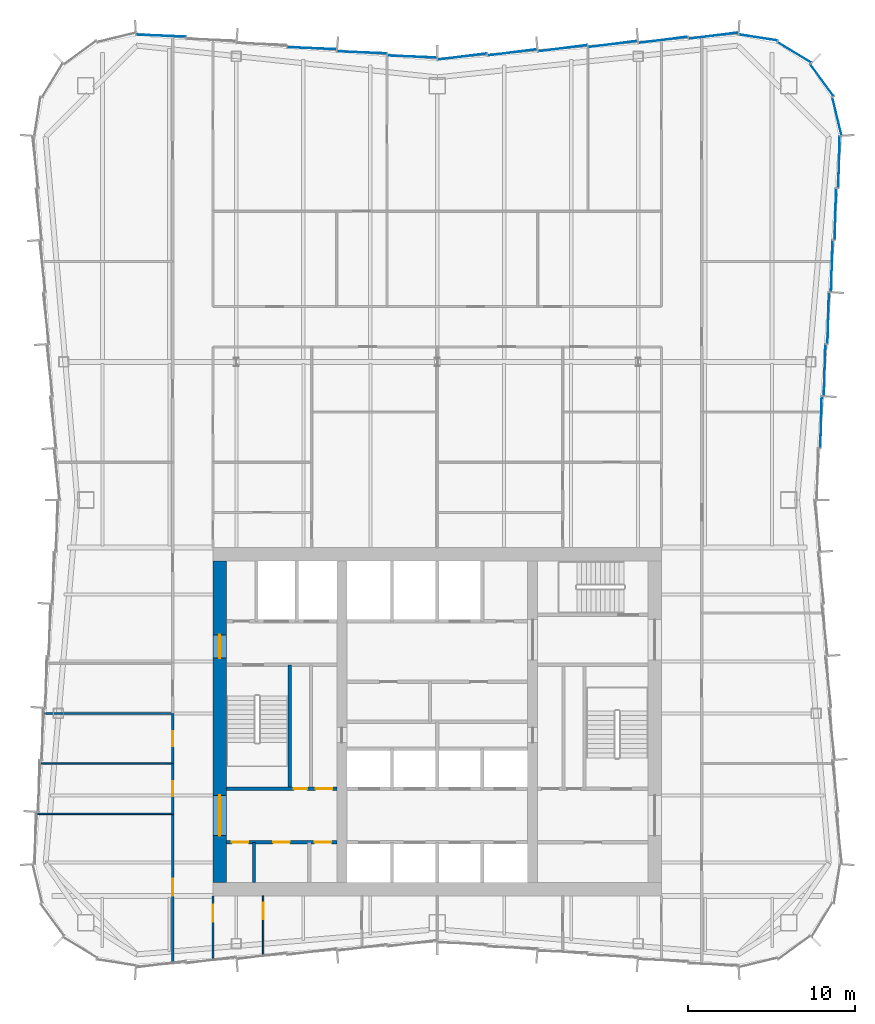
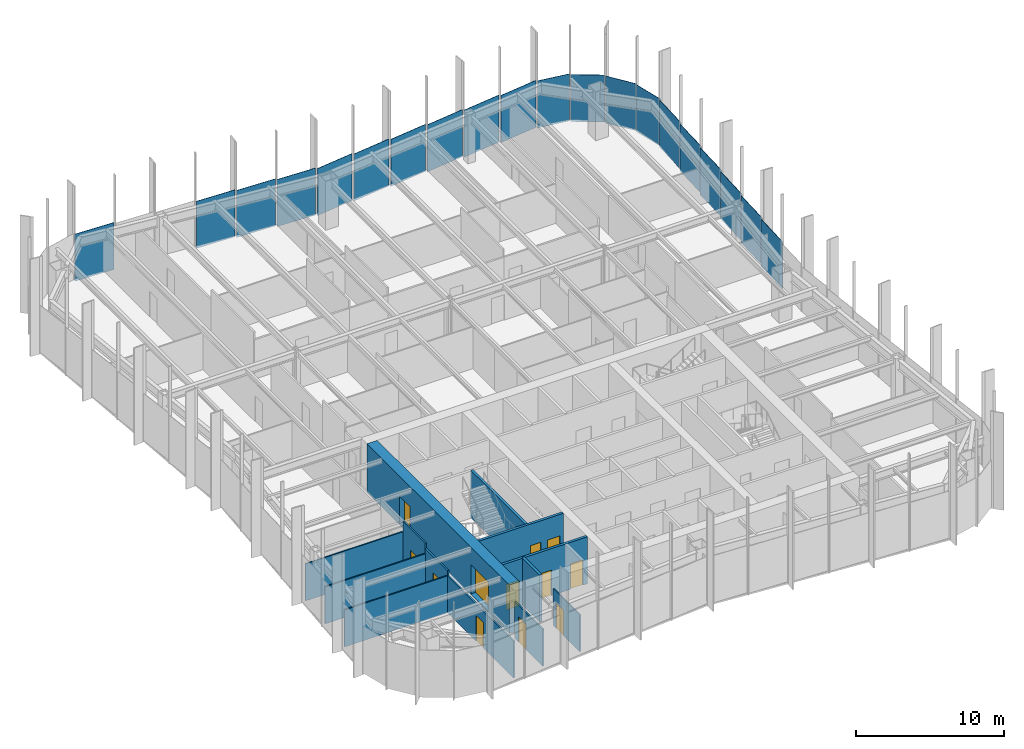
# One storey, part 10 of 15: 20 plates, 13 walls, 12 doors, 12 openings, 3 elements without a shape of their own.
"""IFC4 building model written with IfcOpenShell, lengths in metres."""

from ifc_helpers import new_model, si_unit, direction, frame, frame_2d, origin, origin_2d, place, context, subcontext, project, spatial, rectangle, extrude, material, layer, layer_set, type_object, element, fill, aggregate, save


model = new_model("IFC4")

# Units and contexts
model_context = context("Model", 3, precision=1e-05, world=origin(), true_north=direction((0.0, 1.0)))
body_context = subcontext(model_context, "Body", "Model", "MODEL_VIEW")
ifc_project = project(units=[si_unit("LENGTHUNIT", "METRE"), si_unit("AREAUNIT", "SQUARE_METRE"), si_unit("VOLUMEUNIT", "CUBIC_METRE"), si_unit("PLANEANGLEUNIT", "RADIAN"), si_unit("MASSUNIT", "GRAM", prefix="KILO")], contexts=[model_context])

# Site, building, storey
site_placement = place(None, origin())
site = spatial("IfcSite", under=ifc_project, at=site_placement, CompositionType="ELEMENT")
building_placement = place(site_placement, origin())
building = spatial("IfcBuilding", under=site, at=building_placement, Name="Verdant Reach Tower", CompositionType="ELEMENT")
storey_placement = place(building_placement, frame((0.0, 0.0, 274.0)))
storey = spatial("IfcBuildingStorey", under=building, at=storey_placement, Name="L63", CompositionType="ELEMENT", Elevation=274.0)

# Curtain wall, plates
ifc_material_1 = material(Name="Anodised aluminium", Category="aluminium")
curtain_wall_type = type_object("IfcCurtainWallType", Name="EN-CW SYSTEM Z4", PredefinedType="NOTDEFINED", material=ifc_material_1)
curtain_wall_1_placement = place(storey_placement, origin())
curtain_wall_1 = element("IfcCurtainWall", 1, at=curtain_wall_1_placement, inside=storey, type_object=curtain_wall_type, Name="Curtain wall east, L63", PredefinedType="NOTDEFINED")
ifc_material_2 = material(Name="Tinted glass with champagne spandrel", Category="glass")
ifc_layer_1 = layer(ifc_material_2, 0.031982421875)
ifc_layer_set_1 = layer_set([ifc_layer_1], Name="EN-PANEL CHAMPAGNE")
plate_type_1 = type_object("IfcPlateType", Name="EN-PANEL CHAMPAGNE", PredefinedType="CURTAIN_PANEL", material=ifc_layer_set_1)
plate_1_placement = place(storey_placement, frame((23.1474609375, 49.01025390625, -0.221923828125), z_axis=(0.0, 0.0, 1.0), x_axis=(0.026965318308, 0.999636369691, 0.0)))
plate_1 = element("IfcPlate", 2, at=plate_1_placement, type_object=plate_type_1, Name="Glass panel east face part 2 3.1, L63", PredefinedType="CURTAIN_PANEL", context=body_context, shape_type="SweptSolid", body=[
    extrude(rectangle(XDim=3.050537109375, YDim=0.031982421875, at=origin_2d()), origin(), (0.0, 0.0, 1.0), 3.8720703125),
])
plate_2_placement = place(storey_placement, frame((23.36181640625, 52.1171875, -0.221923828125), z_axis=(0.0, 0.0, 1.0), x_axis=(0.026965318308, 0.999636369691, 0.0)))
plate_2 = element("IfcPlate", 3, at=plate_2_placement, type_object=plate_type_1, Name="Glass panel east face part 2 4.1, L63", PredefinedType="CURTAIN_PANEL", context=body_context, shape_type="SweptSolid", body=[
    extrude(rectangle(XDim=3.050537109375, YDim=0.031982421875, at=origin_2d()), origin(), (0.0, 0.0, 1.0), 3.8720703125),
])

curtain_wall_2_placement = place(storey_placement, origin())
curtain_wall_2 = element("IfcCurtainWall", 4, at=curtain_wall_2_placement, inside=storey, type_object=curtain_wall_type, Name="Curtain wall north-east corner, L63", PredefinedType="NOTDEFINED")
plate_3_placement = place(storey_placement, frame((23.87939453125, 64.173095703125, -0.221923828125), z_axis=(0.0, 0.0, 1.0), x_axis=(-0.236458850433, 0.971641503875, 0.0)))
plate_3 = element("IfcPlate", 5, at=plate_3_placement, type_object=plate_type_1, Name="Glass panel north-east corner 1.1, L63", PredefinedType="CURTAIN_PANEL", context=body_context, shape_type="SweptSolid", body=[
    extrude(rectangle(XDim=2.313720703125, YDim=0.031982421875, at=origin_2d()), origin(), (0.0, 0.0, 1.0), 3.8720703125),
])
plate_4_placement = place(storey_placement, frame((22.984375, 66.330322265625, -0.221923828125), z_axis=(0.0, 0.0, 1.0), x_axis=(-0.589926737254, 0.80745677573, 0.0)))
plate_4 = element("IfcPlate", 6, at=plate_4_placement, type_object=plate_type_1, Name="Glass panel north-east corner 2.1, L63", PredefinedType="CURTAIN_PANEL", context=body_context, shape_type="SweptSolid", body=[
    extrude(rectangle(XDim=2.32080078125, YDim=0.031982421875, at=origin_2d()), origin(), (0.0, 0.0, 1.0), 3.8720703125),
])
plate_5_placement = place(storey_placement, frame((21.330322265625, 67.984375, -0.221923828125), z_axis=(0.0, 0.0, 1.0), x_axis=(-0.853988708265, 0.520291539577, 0.0)))
plate_5 = element("IfcPlate", 7, at=plate_5_placement, type_object=plate_type_1, Name="Glass panel north-east corner 3.1, L63", PredefinedType="CURTAIN_PANEL", context=body_context, shape_type="SweptSolid", body=[
    extrude(rectangle(XDim=2.32080078125, YDim=0.031982421875, at=origin_2d()), origin(), (0.0, 0.0, 1.0), 3.8720703125),
])

curtain_wall_3_placement = place(storey_placement, origin())
curtain_wall_3 = element("IfcCurtainWall", 8, at=curtain_wall_3_placement, inside=storey, type_object=curtain_wall_type, Name="Curtain wall north, L63", PredefinedType="NOTDEFINED")
plate_6_placement = place(storey_placement, frame((16.49853515625, 68.98681640625, -0.221923828125), z_axis=(0.0, 0.0, 1.0), x_axis=(-0.992238962139, -0.124345655383, 0.0)))
plate_6 = element("IfcPlate", 9, at=plate_6_placement, type_object=plate_type_1, Name="Glass panel north face part 1 1.1, L63", PredefinedType="CURTAIN_PANEL", context=body_context, shape_type="SweptSolid", body=[
    extrude(rectangle(XDim=2.9619140625, YDim=0.031982421875, at=origin_2d()), origin(), (0.0, 0.0, 1.0), 3.8720703125),
])
plate_7_placement = place(storey_placement, frame((-1.495361328125, 67.73681640625, -0.221923828125), z_axis=(0.0, 0.0, 1.0), x_axis=(-0.999143877249, 0.041370430933, 0.0)))
plate_7 = element("IfcPlate", 10, at=plate_7_placement, type_object=plate_type_1, Name="Glass panel north face part 2 1.1, L63", PredefinedType="CURTAIN_PANEL", context=body_context, shape_type="SweptSolid", body=[
    extrude(rectangle(XDim=2.93701171875, YDim=0.031982421875, at=origin_2d()), origin(), (0.0, 0.0, 1.0), 3.8720703125),
])
plate_8_placement = place(storey_placement, frame((-4.49072265625, 67.986572265625, -0.221923828125), z_axis=(0.0, 0.0, 1.0), x_axis=(-0.999149202059, 0.041241629766, 0.0)))
plate_8 = element("IfcPlate", 11, at=plate_8_placement, type_object=plate_type_1, Name="Glass panel north face part 2 2.1, L63", PredefinedType="CURTAIN_PANEL", context=body_context, shape_type="SweptSolid", body=[
    extrude(rectangle(XDim=2.9462890625, YDim=0.031982421875, at=origin_2d()), origin(), (0.0, 0.0, 1.0), 3.8720703125),
])
plate_9_placement = place(storey_placement, frame((-7.49072265625, 68.236572265625, -0.221923828125), z_axis=(0.0, 0.0, 1.0), x_axis=(-0.999149202059, 0.041241629766, 0.0)))
plate_9 = element("IfcPlate", 12, at=plate_9_placement, type_object=plate_type_1, Name="Glass panel north face part 2 3.1, L63", PredefinedType="CURTAIN_PANEL", context=body_context, shape_type="SweptSolid", body=[
    extrude(rectangle(XDim=2.9462890625, YDim=0.031982421875, at=origin_2d()), origin(), (0.0, 0.0, 1.0), 3.8720703125),
])

# Plate
ifc_material_3 = material(Name="Tinted glass with copper spandrel", Category="glass")
ifc_layer_2 = layer(ifc_material_3, 0.031982421875)
ifc_layer_set_2 = layer_set([ifc_layer_2], Name="EN-PANEL COPPER")
plate_type_2 = type_object("IfcPlateType", Name="EN-PANEL COPPER", PredefinedType="CURTAIN_PANEL", material=ifc_layer_set_2)
plate_10_placement = place(storey_placement, frame((23.575927734375, 55.224365234375, -0.221923828125), z_axis=(0.0, 0.0, 1.0), x_axis=(0.026965318308, 0.999636369691, 0.0)))
plate_10 = element("IfcPlate", 13, at=plate_10_placement, type_object=plate_type_2, Name="Glass panel east face part 2 5.1, L63", PredefinedType="CURTAIN_PANEL", context=body_context, shape_type="SweptSolid", body=[
    extrude(rectangle(XDim=3.050537109375, YDim=0.031982421875, at=origin_2d()), origin(), (0.0, 0.0, 1.0), 3.8720703125),
])

plate_11_placement = place(storey_placement, frame((23.790283203125, 58.33154296875, -0.221923828125), z_axis=(0.0, 0.0, 1.0), x_axis=(0.026965318308, 0.999636369691, 0.0)))
plate_11 = element("IfcPlate", 14, at=plate_11_placement, type_object=plate_type_2, Name="Glass panel east face part 2 6.1, L63", PredefinedType="CURTAIN_PANEL", context=body_context, shape_type="SweptSolid", body=[
    extrude(rectangle(XDim=3.050537109375, YDim=0.031982421875, at=origin_2d()), origin(), (0.0, 0.0, 1.0), 3.8720703125),
])

plate_12_placement = place(storey_placement, frame((24.004638671875, 61.446044921875, -0.221923828125), z_axis=(0.0, 0.0, 1.0), x_axis=(0.026651253217, 0.999644792265, 0.0)))
plate_12 = element("IfcPlate", 15, at=plate_12_placement, type_object=plate_type_2, Name="Glass panel east face part 2 7.1, L63", PredefinedType="CURTAIN_PANEL", context=body_context, shape_type="SweptSolid", body=[
    extrude(rectangle(XDim=3.0654296875, YDim=0.031982421875, at=origin_2d()), origin(), (0.0, 0.0, 1.0), 3.8720703125),
])

plate_13_placement = place(storey_placement, frame((19.172607421875, 68.87939453125, -0.221923828125), z_axis=(0.0, 0.0, 1.0), x_axis=(-0.98802725693, 0.154279420415, 0.0)))
plate_13 = element("IfcPlate", 16, at=plate_13_placement, type_object=plate_type_2, Name="Glass panel north-east corner 4.1, L63", PredefinedType="CURTAIN_PANEL", context=body_context, shape_type="SweptSolid", body=[
    extrude(rectangle(XDim=2.314453125, YDim=0.031982421875, at=origin_2d()), origin(), (0.0, 0.0, 1.0), 3.8720703125),
])

aggregate(curtain_wall_2, [plate_3, plate_4, plate_5, plate_13])

plate_14_placement = place(storey_placement, frame((13.49072265625, 68.736572265625, -0.221923828125), z_axis=(0.0, 0.0, 1.0), x_axis=(-0.992194034542, -0.124703639961, 0.0)))
plate_14 = element("IfcPlate", 17, at=plate_14_placement, type_object=plate_type_2, Name="Glass panel north face part 1 2.1, L63", PredefinedType="CURTAIN_PANEL", context=body_context, shape_type="SweptSolid", body=[
    extrude(rectangle(XDim=2.9462890625, YDim=0.031982421875, at=origin_2d()), origin(), (0.0, 0.0, 1.0), 3.8720703125),
])

plate_15_placement = place(storey_placement, frame((10.49072265625, 68.486572265625, -0.221923828125), z_axis=(0.0, 0.0, 1.0), x_axis=(-0.992194034542, -0.124703639961, 0.0)))
plate_15 = element("IfcPlate", 18, at=plate_15_placement, type_object=plate_type_2, Name="Glass panel north face part 1 3.1, L63", PredefinedType="CURTAIN_PANEL", context=body_context, shape_type="SweptSolid", body=[
    extrude(rectangle(XDim=2.9462890625, YDim=0.031982421875, at=origin_2d()), origin(), (0.0, 0.0, 1.0), 3.8720703125),
])

plate_16_placement = place(storey_placement, frame((7.49072265625, 68.236572265625, -0.221923828125), z_axis=(0.0, 0.0, 1.0), x_axis=(-0.992194034542, -0.124703639961, 0.0)))
plate_16 = element("IfcPlate", 19, at=plate_16_placement, type_object=plate_type_2, Name="Glass panel north face part 1 4.1, L63", PredefinedType="CURTAIN_PANEL", context=body_context, shape_type="SweptSolid", body=[
    extrude(rectangle(XDim=2.9462890625, YDim=0.031982421875, at=origin_2d()), origin(), (0.0, 0.0, 1.0), 3.8720703125),
])

ifc_material_4 = material(Name="Tinted glass with dark bronze spandrel", Category="glass")
ifc_layer_3 = layer(ifc_material_4, 0.031982421875)
ifc_layer_set_3 = layer_set([ifc_layer_3], Name="EN-PANEL DARK")
plate_type_3 = type_object("IfcPlateType", Name="EN-PANEL DARK", PredefinedType="CURTAIN_PANEL", material=ifc_layer_set_3)
plate_17_placement = place(storey_placement, frame((22.93310546875, 45.903076171875, -0.221923828125), z_axis=(0.0, 0.0, 1.0), x_axis=(0.026965318308, 0.999636369691, 0.0)))
plate_17 = element("IfcPlate", 20, at=plate_17_placement, type_object=plate_type_3, Name="Glass panel east face part 2 2.1, L63", PredefinedType="CURTAIN_PANEL", context=body_context, shape_type="SweptSolid", body=[
    extrude(rectangle(XDim=3.050537109375, YDim=0.031982421875, at=origin_2d()), origin(), (0.0, 0.0, 1.0), 3.8720703125),
])

aggregate(curtain_wall_1, [plate_17, plate_1, plate_2, plate_10, plate_11, plate_12])

plate_18_placement = place(storey_placement, frame((4.49072265625, 67.986572265625, -0.221923828125), z_axis=(0.0, 0.0, 1.0), x_axis=(-0.992194034542, -0.124703639961, 0.0)))
plate_18 = element("IfcPlate", 21, at=plate_18_placement, type_object=plate_type_3, Name="Glass panel north face part 1 5.1, L63", PredefinedType="CURTAIN_PANEL", context=body_context, shape_type="SweptSolid", body=[
    extrude(rectangle(XDim=2.9462890625, YDim=0.031982421875, at=origin_2d()), origin(), (0.0, 0.0, 1.0), 3.8720703125),
])

plate_19_placement = place(storey_placement, frame((1.495361328125, 67.73681640625, -0.221923828125), z_axis=(0.0, 0.0, 1.0), x_axis=(-0.992177950603, -0.124831543836, 0.0)))
plate_19 = element("IfcPlate", 22, at=plate_19_placement, type_object=plate_type_3, Name="Glass panel north face part 1 6.1, L63", PredefinedType="CURTAIN_PANEL", context=body_context, shape_type="SweptSolid", body=[
    extrude(rectangle(XDim=2.93701171875, YDim=0.031982421875, at=origin_2d()), origin(), (0.0, 0.0, 1.0), 3.8720703125),
])

plate_20_placement = place(storey_placement, frame((-16.49853515625, 68.98681640625, -0.221923828125), z_axis=(0.0, 0.0, 1.0), x_axis=(-0.999164016711, 0.040881141246, 0.0)))
plate_20 = element("IfcPlate", 23, at=plate_20_placement, type_object=plate_type_3, Name="Glass panel north face part 2 6.1, L63", PredefinedType="CURTAIN_PANEL", context=body_context, shape_type="SweptSolid", body=[
    extrude(rectangle(XDim=2.9619140625, YDim=0.031982421875, at=origin_2d()), origin(), (0.0, 0.0, 1.0), 3.8720703125),
])

aggregate(curtain_wall_3, [plate_6, plate_14, plate_15, plate_16, plate_18, plate_19, plate_7, plate_8, plate_9, plate_20])

# Wall, openings, doors
ifc_material_5 = material(Name="Gypsum board on steel studs", Category="steel")
ifc_layer_4 = layer(ifc_material_5, 0.199951171875)
ifc_layer_set_4 = layer_set([ifc_layer_4], Name="CO-WALL-ROOM")
wall_type_1 = type_object("IfcWallType", Name="CO-WALL-ROOM", PredefinedType="PARTITIONING", material=ifc_layer_set_4)
wall_1_placement = place(storey_placement, frame((-12.60009765625, 20.800048828125, 0.0), z_axis=(0.0, 0.0, 1.0), x_axis=(1.0, 0.0, 0.0)))
wall_1 = element("IfcWall", 24, at=wall_1_placement, inside=storey, type_object=wall_type_1, Name="Core partition, L63", PredefinedType="PARTITIONING", context=body_context, shape_type="SweptSolid", body=[
    extrude(rectangle(XDim=6.60009765625, YDim=0.199951171875, at=frame_2d((3.300048828125, 0.0))), origin(), (0.0, 0.0, 1.0), 3.8701171875),
])
opening_1_placement = place(wall_1_placement, frame((0.324951171875, 0.0, 0.0)))
opening_1 = element("IfcOpeningElement", 25, at=opening_1_placement, cuts=wall_1, Name="Opening CD", PredefinedType="OPENING", context=body_context, shape_type="SweptSolid", body=[
    extrude(rectangle(XDim=1.0, YDim=2.10009765625, at=frame_2d((0.5, 1.050048828125))), frame((0.0, 0.10986328125, 0.0), z_axis=(0.0, -1.0, 0.0), x_axis=(1.0, 0.0, 0.0)), (0.0, 0.0, 1.0), 0.219970703125),
])
opening_2_placement = place(wall_1_placement, frame((2.800048828125, 0.0, 0.0)))
opening_2 = element("IfcOpeningElement", 26, at=opening_2_placement, cuts=wall_1, Name="Opening CD", PredefinedType="OPENING", context=body_context, shape_type="SweptSolid", body=[
    extrude(rectangle(XDim=1.0, YDim=2.10009765625, at=frame_2d((0.5, 1.050048828125))), frame((0.0, 0.10986328125, 0.0), z_axis=(0.0, -1.0, 0.0), x_axis=(1.0, 0.0, 0.0)), (0.0, 0.0, 1.0), 0.219970703125),
])
opening_3_placement = place(wall_1_placement, frame((5.27490234375, 0.0, 0.0)))
opening_3 = element("IfcOpeningElement", 27, at=opening_3_placement, cuts=wall_1, Name="Opening CD", PredefinedType="OPENING", context=body_context, shape_type="SweptSolid", body=[
    extrude(rectangle(XDim=1.0, YDim=2.10009765625, at=frame_2d((0.5, 1.050048828125))), frame((0.0, 0.10986328125, 0.0), z_axis=(0.0, -1.0, 0.0), x_axis=(1.0, 0.0, 0.0)), (0.0, 0.0, 1.0), 0.219970703125),
])
ifc_material_6 = material(Name="Timber", Category="wood")
door_type_1 = type_object("IfcDoorType", Name="CO-DOOR-ROOM", OperationType="NOTDEFINED", PredefinedType="DOOR", material=ifc_material_6)
door_1_placement = place(opening_1_placement, origin())
door_1 = element("IfcDoor", 28, at=door_1_placement, inside=storey, type_object=door_type_1, Name="Core room door, L63", OperationType="SINGLE_SWING_RIGHT", OverallHeight=2.10009765625, OverallWidth=1.0, PredefinedType="DOOR", context=body_context, shape_type="SweptSolid", body=[
    extrude(rectangle(XDim=1.0, YDim=2.10009765625, at=frame_2d((0.5, 1.050048828125))), frame((0.0, 0.02490234375, 0.0), z_axis=(0.0, -1.0, 0.0), x_axis=(1.0, 0.0, 0.0)), (0.0, 0.0, 1.0), 0.050048828125),
])
fill(opening_1, door_1)
door_2_placement = place(opening_2_placement, origin())
door_2 = element("IfcDoor", 29, at=door_2_placement, inside=storey, type_object=door_type_1, Name="Core room door, L63", OperationType="SINGLE_SWING_RIGHT", OverallHeight=2.10009765625, OverallWidth=1.0, PredefinedType="DOOR", context=body_context, shape_type="SweptSolid", body=[
    extrude(rectangle(XDim=1.0, YDim=2.10009765625, at=frame_2d((0.5, 1.050048828125))), frame((0.0, 0.02490234375, 0.0), z_axis=(0.0, -1.0, 0.0), x_axis=(1.0, 0.0, 0.0)), (0.0, 0.0, 1.0), 0.050048828125),
])
fill(opening_2, door_2)
door_3_placement = place(opening_3_placement, origin())
door_3 = element("IfcDoor", 30, at=door_3_placement, inside=storey, type_object=door_type_1, Name="Core room door, L63", OperationType="SINGLE_SWING_RIGHT", OverallHeight=2.10009765625, OverallWidth=1.0, PredefinedType="DOOR", context=body_context, shape_type="SweptSolid", body=[
    extrude(rectangle(XDim=1.0, YDim=2.10009765625, at=frame_2d((0.5, 1.050048828125))), frame((0.0, 0.02490234375, 0.0), z_axis=(0.0, -1.0, 0.0), x_axis=(1.0, 0.0, 0.0)), (0.0, 0.0, 1.0), 0.050048828125),
])
fill(opening_3, door_3)

# Wall
wall_2_placement = place(storey_placement, frame((-10.949951171875, 18.39990234375, 0.0), z_axis=(0.0, 0.0, 1.0), x_axis=(0.0, 1.0, 0.0)))
element("IfcWall", 31, at=wall_2_placement, inside=storey, type_object=wall_type_1, Name="Core partition, L63", PredefinedType="PARTITIONING", context=body_context, shape_type="SweptSolid", body=[
    extrude(rectangle(XDim=2.400146484375, YDim=0.199951171875, at=frame_2d((1.2001953125, 0.0))), origin(), (0.0, 0.0, 1.0), 3.8701171875),
])

# Wall, openings, doors
ifc_material_7 = material(Name="Concrete C40/50", Category="concrete")
ifc_layer_5 = layer(ifc_material_7, 0.199951171875)
ifc_layer_set_5 = layer_set([ifc_layer_5], Name="CO-WALL-STAIR")
wall_type_2 = type_object("IfcWallType", Name="CO-WALL-STAIR", PredefinedType="PARTITIONING", material=ifc_layer_set_5)
wall_3_placement = place(storey_placement, frame((-12.60009765625, 24.0, 0.0), z_axis=(0.0, 0.0, 1.0), x_axis=(1.0, 0.0, 0.0)))
wall_3 = element("IfcWall", 32, at=wall_3_placement, inside=storey, type_object=wall_type_2, Name="Stair enclosure wall, L63", PredefinedType="PARTITIONING", context=body_context, shape_type="SweptSolid", body=[
    extrude(rectangle(XDim=6.60009765625, YDim=0.199951171875, at=frame_2d((3.300048828125, 0.0))), origin(), (0.0, 0.0, 1.0), 3.8701171875),
])
opening_4_placement = place(wall_3_placement, frame((4.030029296875, 0.0, 0.0)))
opening_4 = element("IfcOpeningElement", 33, at=opening_4_placement, cuts=wall_3, Name="Opening CDN", PredefinedType="OPENING", context=body_context, shape_type="SweptSolid", body=[
    extrude(rectangle(XDim=0.800048828125, YDim=2.10009765625, at=frame_2d((0.39990234375, 1.050048828125))), frame((0.0, 0.10986328125, 0.0), z_axis=(0.0, -1.0, 0.0), x_axis=(1.0, 0.0, 0.0)), (0.0, 0.0, 1.0), 0.219970703125),
])
opening_5_placement = place(wall_3_placement, frame((5.330078125, 0.0, 0.0)))
opening_5 = element("IfcOpeningElement", 34, at=opening_5_placement, cuts=wall_3, Name="Opening CD", PredefinedType="OPENING", context=body_context, shape_type="SweptSolid", body=[
    extrude(rectangle(XDim=1.0, YDim=2.10009765625, at=frame_2d((0.5, 1.050048828125))), frame((0.0, 0.10986328125, 0.0), z_axis=(0.0, -1.0, 0.0), x_axis=(1.0, 0.0, 0.0)), (0.0, 0.0, 1.0), 0.219970703125),
])
door_4_placement = place(opening_5_placement, origin())
door_4 = element("IfcDoor", 35, at=door_4_placement, inside=storey, type_object=door_type_1, Name="Core room door, L63", OperationType="SINGLE_SWING_LEFT", OverallHeight=2.10009765625, OverallWidth=1.0, PredefinedType="DOOR", context=body_context, shape_type="SweptSolid", body=[
    extrude(rectangle(XDim=1.0, YDim=2.10009765625, at=frame_2d((0.5, 1.050048828125))), frame((0.0, 0.02490234375, 0.0), z_axis=(0.0, -1.0, 0.0), x_axis=(1.0, 0.0, 0.0)), (0.0, 0.0, 1.0), 0.050048828125),
])
fill(opening_5, door_4)
door_type_2 = type_object("IfcDoorType", Name="CO-DOOR-ROOM-NARROW", OperationType="NOTDEFINED", PredefinedType="DOOR", material=ifc_material_6)
door_5_placement = place(opening_4_placement, origin())
door_5 = element("IfcDoor", 36, at=door_5_placement, inside=storey, type_object=door_type_2, Name="Core room door, L63", OperationType="SINGLE_SWING_RIGHT", OverallHeight=2.10009765625, OverallWidth=0.800048828125, PredefinedType="DOOR", context=body_context, shape_type="SweptSolid", body=[
    extrude(rectangle(XDim=0.800048828125, YDim=2.10009765625, at=frame_2d((0.39990234375, 1.050048828125))), frame((0.0, 0.02490234375, 0.0), z_axis=(0.0, -1.0, 0.0), x_axis=(1.0, 0.0, 0.0)), (0.0, 0.0, 1.0), 0.050048828125),
])
fill(opening_4, door_5)

# Walls
wall_4_placement = place(storey_placement, frame((-8.800048828125, 24.0, 0.0), z_axis=(0.0, 0.0, 1.0), x_axis=(0.0, 1.0, 0.0)))
element("IfcWall", 37, at=wall_4_placement, inside=storey, type_object=wall_type_2, Name="Stair enclosure wall, L63", PredefinedType="PARTITIONING", context=body_context, shape_type="SweptSolid", body=[
    extrude(rectangle(XDim=7.39990234375, YDim=0.199951171875, at=frame_2d((3.699951171875, 0.0))), origin(), (0.0, 0.0, 1.0), 3.8701171875),
])
ifc_layer_6 = layer(ifc_material_5, 0.10009765625)
ifc_layer_set_6 = layer_set([ifc_layer_6], Name="FL-W1 Partition 100")
wall_type_3 = type_object("IfcWallType", Name="FL-W1 Partition 100", PredefinedType="PARTITIONING", material=ifc_layer_set_6)
wall_5_placement = place(storey_placement, frame((-15.800048828125, 22.5, 0.0), z_axis=(0.0, 0.0, 1.0), x_axis=(-1.0, 0.0, 0.0)))
element("IfcWall", 38, at=wall_5_placement, inside=storey, type_object=wall_type_3, Name="Partition 63.33", PredefinedType="PARTITIONING", context=body_context, shape_type="SweptSolid", body=[
    extrude(rectangle(XDim=8.072998046875, YDim=0.10009765625, at=frame_2d((4.03662109375, 0.0))), origin(), (0.0, 0.0, 1.0), 3.0400390625),
])
wall_6_placement = place(storey_placement, frame((-15.800048828125, 25.5, 0.0), z_axis=(0.0, 0.0, 1.0), x_axis=(-1.0, 0.0, 0.0)))
element("IfcWall", 39, at=wall_6_placement, inside=storey, type_object=wall_type_3, Name="Partition 63.34", PredefinedType="PARTITIONING", context=body_context, shape_type="SweptSolid", body=[
    extrude(rectangle(XDim=7.8662109375, YDim=0.10009765625, at=frame_2d((3.93310546875, 0.0))), origin(), (0.0, 0.0, 1.0), 3.0400390625),
])
wall_7_placement = place(storey_placement, frame((-15.800048828125, 28.5, 0.0), z_axis=(0.0, 0.0, 1.0), x_axis=(-1.0, 0.0, 0.0)))
element("IfcWall", 40, at=wall_7_placement, inside=storey, type_object=wall_type_3, Name="Partition 63.35", PredefinedType="PARTITIONING", context=body_context, shape_type="SweptSolid", body=[
    extrude(rectangle(XDim=7.6591796875, YDim=0.10009765625, at=frame_2d((3.82958984375, 0.0))), origin(), (0.0, 0.0, 1.0), 3.0400390625),
])

# Wall, opening, door
wall_8_placement = place(storey_placement, frame((-10.39990234375, 17.60009765625, 0.0), z_axis=(0.0, 0.0, 1.0), x_axis=(0.0, -1.0, 0.0)))
wall_8 = element("IfcWall", 41, at=wall_8_placement, inside=storey, type_object=wall_type_3, Name="Partition 63.43", PredefinedType="PARTITIONING", context=body_context, shape_type="SweptSolid", body=[
    extrude(rectangle(XDim=3.546875, YDim=0.10009765625, at=frame_2d((1.7734375, 0.0))), origin(), (0.0, 0.0, 1.0), 3.0400390625),
])
opening_6_placement = place(wall_8_placement, frame((0.408203125, 0.0, 0.0)))
opening_6 = element("IfcOpeningElement", 42, at=opening_6_placement, cuts=wall_8, Name="Opening D3", PredefinedType="OPENING", context=body_context, shape_type="SweptSolid", body=[
    extrude(rectangle(XDim=1.0, YDim=2.10009765625, at=frame_2d((0.5, 1.050048828125))), frame((0.0, 0.06005859375, 0.0), z_axis=(0.0, -1.0, 0.0), x_axis=(1.0, 0.0, 0.0)), (0.0, 0.0, 1.0), 0.1201171875),
])
ifc_material_8 = material(Name="Painted timber door leaf", Category="wood")
door_type_3 = type_object("IfcDoorType", Name="FL-D3 Door 1000x2100", OperationType="NOTDEFINED", PredefinedType="DOOR", material=ifc_material_8)
door_6_placement = place(opening_6_placement, origin())
door_6 = element("IfcDoor", 43, at=door_6_placement, inside=storey, type_object=door_type_3, Name="Door 63-026", OperationType="SINGLE_SWING_LEFT", OverallHeight=2.10009765625, OverallWidth=1.0, PredefinedType="DOOR", context=body_context, shape_type="SweptSolid", body=[
    extrude(rectangle(XDim=1.0, YDim=2.10009765625, at=frame_2d((0.5, 1.050048828125))), frame((0.0, 0.02490234375, 0.0), z_axis=(0.0, -1.0, 0.0), x_axis=(1.0, 0.0, 0.0)), (0.0, 0.0, 1.0), 0.050048828125),
])
fill(opening_6, door_6)

ifc_material_9 = material(Name="Gypsum board on steel studs, fire rated", Category="steel")
ifc_layer_7 = layer(ifc_material_9, 0.125)
ifc_layer_set_7 = layer_set([ifc_layer_7], Name="FL-W2 Corridor wall 125")
wall_type_4 = type_object("IfcWallType", Name="FL-W2 Corridor wall 125", PredefinedType="PARTITIONING", material=ifc_layer_set_7)
wall_9_placement = place(storey_placement, frame((-15.800048828125, 13.603271484375, 0.0), z_axis=(0.0, 0.0, 1.0), x_axis=(0.0, 1.0, 0.0)))
wall_9 = element("IfcWall", 44, at=wall_9_placement, inside=storey, type_object=wall_type_4, Name="Partition 63.01", PredefinedType="PARTITIONING", context=body_context, shape_type="SweptSolid", body=[
    extrude(rectangle(XDim=8.896728515625, YDim=0.125, at=frame_2d((4.4482421875, 0.0))), origin(), (0.0, 0.0, 1.0), 3.0400390625),
])
opening_7_placement = place(wall_9_placement, frame((4.013427734375, 0.0, 0.0)))
opening_7 = element("IfcOpeningElement", 45, at=opening_7_placement, cuts=wall_9, Name="Opening D2", PredefinedType="OPENING", context=body_context, shape_type="SweptSolid", body=[
    extrude(rectangle(XDim=1.0, YDim=2.10009765625, at=frame_2d((0.5, 1.050048828125))), frame((0.0, 0.072509765625, 0.0), z_axis=(0.0, -1.0, 0.0), x_axis=(1.0, 0.0, 0.0)), (0.0, 0.0, 1.0), 0.14501953125),
])
ifc_material_10 = material(Name="Timber door leaf, fire rated", Category="wood")
door_type_4 = type_object("IfcDoorType", Name="FL-D2 Entrance door 1000x2100 FD30", OperationType="NOTDEFINED", PredefinedType="DOOR", material=ifc_material_10)
door_7_placement = place(opening_7_placement, origin())
door_7 = element("IfcDoor", 46, at=door_7_placement, inside=storey, type_object=door_type_4, Name="Door 63-001", OperationType="SINGLE_SWING_RIGHT", OverallHeight=2.10009765625, OverallWidth=1.0, PredefinedType="DOOR", context=body_context, shape_type="SweptSolid", body=[
    extrude(rectangle(XDim=1.0, YDim=2.10009765625, at=frame_2d((0.5, 1.050048828125))), frame((0.0, 0.02490234375, 0.0), z_axis=(0.0, -1.0, 0.0), x_axis=(1.0, 0.0, 0.0)), (0.0, 0.0, 1.0), 0.050048828125),
])
fill(opening_7, door_7)

wall_10_placement = place(storey_placement, frame((-15.800048828125, 22.5, 0.0), z_axis=(0.0, 0.0, 1.0), x_axis=(0.0, 1.0, 0.0)))
wall_10 = element("IfcWall", 47, at=wall_10_placement, inside=storey, type_object=wall_type_4, Name="Partition 63.02", PredefinedType="PARTITIONING", context=body_context, shape_type="SweptSolid", body=[
    extrude(rectangle(XDim=3.0, YDim=0.125, at=frame_2d((1.5, 0.0))), origin(), (0.0, 0.0, 1.0), 3.43994140625),
])
opening_8_placement = place(wall_10_placement, frame((1.050048828125, 0.0, 0.0)))
opening_8 = element("IfcOpeningElement", 48, at=opening_8_placement, cuts=wall_10, Name="Opening D1", PredefinedType="OPENING", context=body_context, shape_type="SweptSolid", body=[
    extrude(rectangle(XDim=0.89990234375, YDim=2.10009765625, at=frame_2d((0.449951171875, 1.050048828125))), frame((0.0, 0.072509765625, 0.0), z_axis=(0.0, -1.0, 0.0), x_axis=(1.0, 0.0, 0.0)), (0.0, 0.0, 1.0), 0.14501953125),
])
door_type_5 = type_object("IfcDoorType", Name="FL-D1 Door 900x2100", OperationType="NOTDEFINED", PredefinedType="DOOR", material=ifc_material_8)
door_8_placement = place(opening_8_placement, origin())
door_8 = element("IfcDoor", 49, at=door_8_placement, inside=storey, type_object=door_type_5, Name="Door 63-002", OperationType="SINGLE_SWING_RIGHT", OverallHeight=2.10009765625, OverallWidth=0.89990234375, PredefinedType="DOOR", context=body_context, shape_type="SweptSolid", body=[
    extrude(rectangle(XDim=0.89990234375, YDim=2.10009765625, at=frame_2d((0.449951171875, 1.050048828125))), frame((0.0, 0.02490234375, 0.0), z_axis=(0.0, -1.0, 0.0), x_axis=(1.0, 0.0, 0.0)), (0.0, 0.0, 1.0), 0.050048828125),
])
fill(opening_8, door_8)

wall_11_placement = place(storey_placement, frame((-15.800048828125, 25.5, 0.0), z_axis=(0.0, 0.0, 1.0), x_axis=(0.0, 1.0, 0.0)))
wall_11 = element("IfcWall", 50, at=wall_11_placement, inside=storey, type_object=wall_type_4, Name="Partition 63.03", PredefinedType="PARTITIONING", context=body_context, shape_type="SweptSolid", body=[
    extrude(rectangle(XDim=3.0, YDim=0.125, at=frame_2d((1.5, 0.0))), origin(), (0.0, 0.0, 1.0), 3.8701171875),
])
opening_9_placement = place(wall_11_placement, frame((1.050048828125, 0.0, 0.0)))
opening_9 = element("IfcOpeningElement", 51, at=opening_9_placement, cuts=wall_11, Name="Opening D1", PredefinedType="OPENING", context=body_context, shape_type="SweptSolid", body=[
    extrude(rectangle(XDim=0.89990234375, YDim=2.10009765625, at=frame_2d((0.449951171875, 1.050048828125))), frame((0.0, 0.072509765625, 0.0), z_axis=(0.0, -1.0, 0.0), x_axis=(1.0, 0.0, 0.0)), (0.0, 0.0, 1.0), 0.14501953125),
])
door_9_placement = place(opening_9_placement, origin())
door_9 = element("IfcDoor", 52, at=door_9_placement, inside=storey, type_object=door_type_5, Name="Door 63-003", OperationType="SINGLE_SWING_LEFT", OverallHeight=2.10009765625, OverallWidth=0.89990234375, PredefinedType="DOOR", context=body_context, shape_type="SweptSolid", body=[
    extrude(rectangle(XDim=0.89990234375, YDim=2.10009765625, at=frame_2d((0.449951171875, 1.050048828125))), frame((0.0, 0.02490234375, 0.0), z_axis=(0.0, -1.0, 0.0), x_axis=(1.0, 0.0, 0.0)), (0.0, 0.0, 1.0), 0.050048828125),
])
fill(opening_9, door_9)

wall_12_placement = place(storey_placement, frame((-13.39990234375, 17.60009765625, 0.0), z_axis=(0.0, 0.0, 1.0), x_axis=(0.0, -1.0, 0.0)))
wall_12 = element("IfcWall", 53, at=wall_12_placement, inside=storey, type_object=wall_type_4, Name="Partition 63.13", PredefinedType="PARTITIONING", context=body_context, shape_type="SweptSolid", body=[
    extrude(rectangle(XDim=3.796875, YDim=0.125, at=frame_2d((1.8984375, 0.0))), origin(), (0.0, 0.0, 1.0), 3.0400390625),
])
opening_10_placement = place(wall_12_placement, frame((0.533203125, 0.0, 0.0)))
opening_10 = element("IfcOpeningElement", 54, at=opening_10_placement, cuts=wall_12, Name="Opening D2", PredefinedType="OPENING", context=body_context, shape_type="SweptSolid", body=[
    extrude(rectangle(XDim=1.0, YDim=2.10009765625, at=frame_2d((0.5, 1.050048828125))), frame((0.0, 0.072509765625, 0.0), z_axis=(0.0, -1.0, 0.0), x_axis=(1.0, 0.0, 0.0)), (0.0, 0.0, 1.0), 0.14501953125),
])
door_10_placement = place(opening_10_placement, origin())
door_10 = element("IfcDoor", 55, at=door_10_placement, inside=storey, type_object=door_type_4, Name="Door 63-013", OperationType="SINGLE_SWING_LEFT", OverallHeight=2.10009765625, OverallWidth=1.0, PredefinedType="DOOR", context=body_context, shape_type="SweptSolid", body=[
    extrude(rectangle(XDim=1.0, YDim=2.10009765625, at=frame_2d((0.5, 1.050048828125))), frame((0.0, 0.02490234375, 0.0), z_axis=(0.0, -1.0, 0.0), x_axis=(1.0, 0.0, 0.0)), (0.0, 0.0, 1.0), 0.050048828125),
])
fill(opening_10, door_10)

# Wall, openings, doors
ifc_material_11 = material(Name="Concrete C70/85", Category="concrete")
ifc_layer_8 = layer(ifc_material_11, 0.800048828125)
ifc_layer_set_8 = layer_set([ifc_layer_8], Name="ST-CORE-WALL-800")
wall_type_5 = type_object("IfcWallType", Name="ST-CORE-WALL-800", PredefinedType="SHEAR", material=ifc_layer_set_8)
wall_13_placement = place(storey_placement, frame((-13.0, 18.39990234375, -0.1298828125), z_axis=(0.0, 0.0, 1.0), x_axis=(0.0, 1.0, 0.0)))
wall_13 = element("IfcWall", 56, at=wall_13_placement, inside=storey, type_object=wall_type_5, Name="Core wall W, L63", PredefinedType="SHEAR", context=body_context, shape_type="SweptSolid", body=[
    extrude(rectangle(XDim=19.2001953125, YDim=0.800048828125, at=frame_2d((9.60009765625, 0.0))), origin(), (0.0, 0.0, 1.0), 4.0),
])
opening_11_placement = place(wall_13_placement, frame((2.800048828125, 0.0, 0.1298828125)))
opening_11 = element("IfcOpeningElement", 57, at=opening_11_placement, cuts=wall_13, Name="Opening LB", PredefinedType="OPENING", context=body_context, shape_type="SweptSolid", body=[
    extrude(rectangle(XDim=2.39990234375, YDim=2.39990234375, at=frame_2d((1.199951171875, 1.199951171875))), frame((0.0, 0.409912109375, 0.0), z_axis=(0.0, -1.0, 0.0), x_axis=(1.0, 0.0, 0.0)), (0.0, 0.0, 1.0), 0.820068359375),
])
opening_12_placement = place(wall_13_placement, frame((13.39990234375, 0.0, 0.1298828125)))
opening_12 = element("IfcOpeningElement", 58, at=opening_12_placement, cuts=wall_13, Name="Opening FL", PredefinedType="OPENING", context=body_context, shape_type="SweptSolid", body=[
    extrude(rectangle(XDim=1.39990234375, YDim=2.199951171875, at=frame_2d((0.699951171875, 1.10009765625))), frame((0.0, 0.409912109375, 0.0), z_axis=(0.0, -1.0, 0.0), x_axis=(1.0, 0.0, 0.0)), (0.0, 0.0, 1.0), 0.820068359375),
])
ifc_material_12 = material(Name="Steel", Category="steel")
door_type_6 = type_object("IfcDoorType", Name="CO-DOOR-FFL", OperationType="NOTDEFINED", PredefinedType="DOOR", material=ifc_material_12)
door_11_placement = place(opening_12_placement, origin())
door_11 = element("IfcDoor", 59, at=door_11_placement, inside=storey, type_object=door_type_6, Name="Core entrance door, L63", OperationType="SINGLE_SWING_LEFT", OverallHeight=2.199951171875, OverallWidth=1.39990234375, PredefinedType="DOOR", context=body_context, shape_type="SweptSolid", body=[
    extrude(rectangle(XDim=1.39990234375, YDim=2.199951171875, at=frame_2d((0.699951171875, 1.10009765625))), frame((0.0, 0.02490234375, 0.0), z_axis=(0.0, -1.0, 0.0), x_axis=(1.0, 0.0, 0.0)), (0.0, 0.0, 1.0), 0.050048828125),
])
fill(opening_12, door_11)
ifc_material_13 = material(Name="Glass and steel", Category="steel")
door_type_7 = type_object("IfcDoorType", Name="CO-DOOR-LOBBY", OperationType="DOUBLE_DOOR_SINGLE_SWING", PredefinedType="DOOR", material=ifc_material_13)
door_12_placement = place(opening_11_placement, origin())
door_12 = element("IfcDoor", 60, at=door_12_placement, inside=storey, type_object=door_type_7, Name="Core entrance door, L63", OperationType="DOUBLE_DOOR_SINGLE_SWING", OverallHeight=2.39990234375, OverallWidth=2.39990234375, PredefinedType="DOOR", context=body_context, shape_type="SweptSolid", body=[
    extrude(rectangle(XDim=2.39990234375, YDim=2.39990234375, at=frame_2d((1.199951171875, 1.199951171875))), frame((0.0, 0.02490234375, 0.0), z_axis=(0.0, -1.0, 0.0), x_axis=(1.0, 0.0, 0.0)), (0.0, 0.0, 1.0), 0.050048828125),
])
fill(opening_11, door_12)

save(model, "model.ifc")
